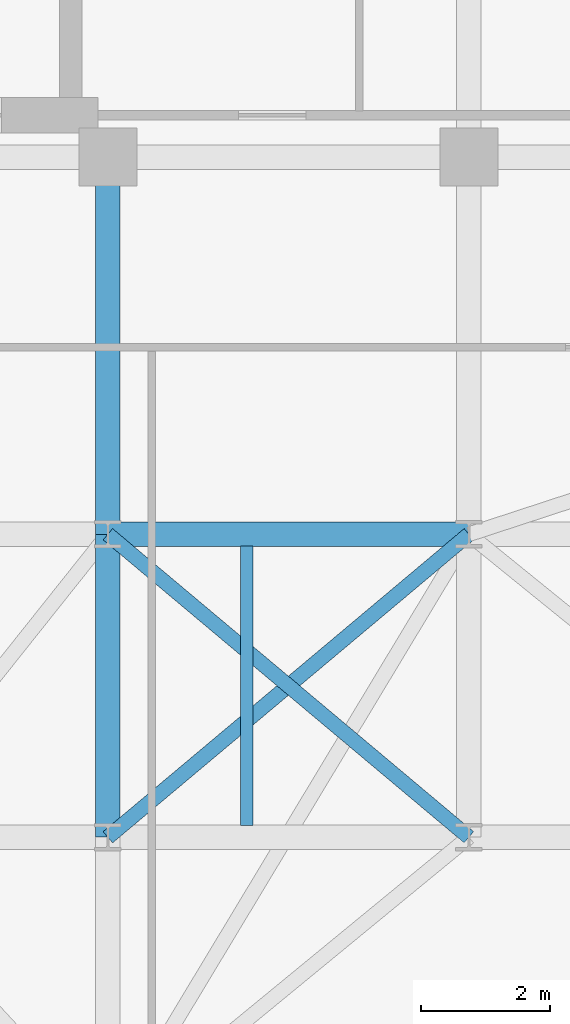
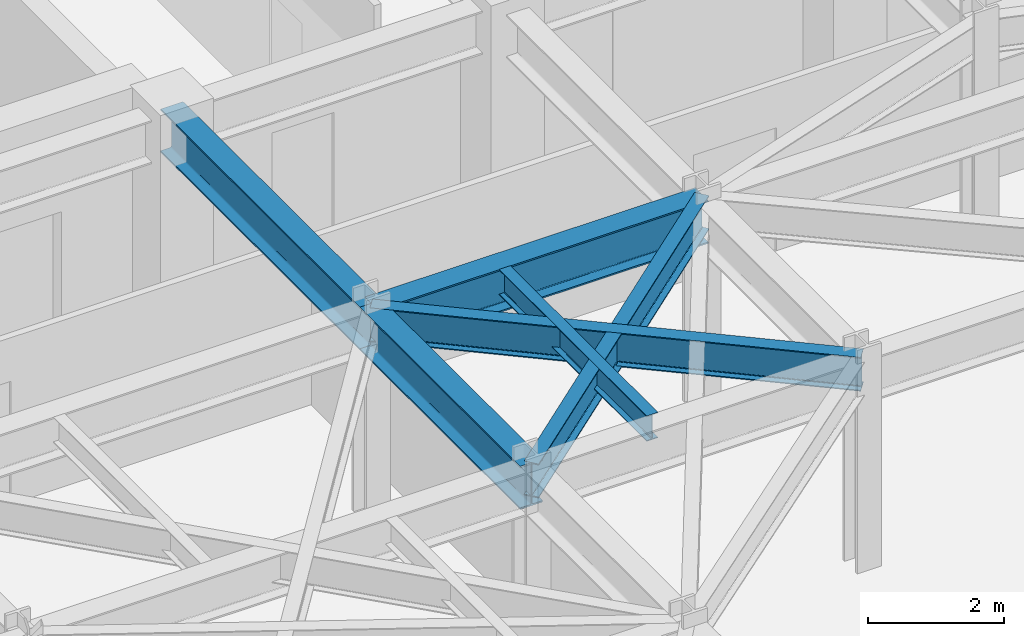
# One storey, part 11 of 26: 6 beams.
"""IFC4 building model written with IfcOpenShell, lengths in metres."""

import ifcopenshell
import ifcopenshell.guid

model = None  # the IFC model being written
_history = None  # IfcOwnerHistory: only IFC2X3 demands one
_inside = {}  # id of a spatial element -> (the spatial element, [elements in it])
_under = {}  # id of a project, library or spatial element -> (it, [spatial elements below it])
_declared = {}  # id of a project -> (the project, [libraries it declares])
_typed = {}  # id of a type object -> (the type object, [elements of that type])
_made_of = {}  # id of a material, layer set ... -> (it, [elements and type objects made of it])


def new_model(schema):
    """Start an empty IFC model of exactly this schema.

    Asked for "IFC4X3", IfcOpenShell would pick the latest addendum, in which some entities
    have other attributes; the version numbers below select the first issue.
    IFC2X3 requires an IfcOwnerHistory on every rooted entity: one is made here for all.
    """
    global model, _history
    if schema == "IFC4X3":
        model = ifcopenshell.file(schema_version=(4, 3, 0, 0))
    else:
        model = ifcopenshell.file(schema=schema)
    _inside.clear()
    _under.clear()
    _declared.clear()
    _typed.clear()
    _made_of.clear()
    _history = None
    if model.schema == "IFC2X3":
        org = make("IfcOrganization", Name="unknown")
        user = make(
            "IfcPersonAndOrganization",
            ThePerson=make("IfcPerson", FamilyName="unknown"),
            TheOrganization=org,
        )
        app = make(
            "IfcApplication",
            ApplicationDeveloper=org,
            Version="unknown",
            ApplicationFullName="unknown",
            ApplicationIdentifier="unknown",
        )
        _history = make(
            "IfcOwnerHistory",
            OwningUser=user,
            OwningApplication=app,
            ChangeAction="ADDED",
            CreationDate=0,
        )
    return model


def make(cls, **values):
    """One entity of the class cls with the attributes given. An attribute that is None is left unset."""
    return model.create_entity(
        cls, **{name: value for name, value in values.items() if value is not None}
    )


def rooted(cls, **values):
    """An entity with a GlobalId (a new one), such as an element, a storey or a relation."""
    return make(cls, GlobalId=ifcopenshell.guid.new(), OwnerHistory=_history, **values)


def si_unit(unit_type, name, prefix=None):
    """IfcSIUnit, for example si_unit("LENGTHUNIT", "METRE", prefix="MILLI")."""
    return make("IfcSIUnit", UnitType=unit_type, Prefix=prefix, Name=name)


def assignment(units):
    """IfcUnitAssignment: the units of a project."""
    return None if units is None else make("IfcUnitAssignment", Units=units)


def point(xyz):
    """IfcCartesianPoint."""
    return None if xyz is None else make("IfcCartesianPoint", Coordinates=xyz)


def direction(xyz):
    """IfcDirection."""
    return None if xyz is None else make("IfcDirection", DirectionRatios=xyz)


def frame(location, z_axis=None, x_axis=None):
    """IfcAxis2Placement3D, a coordinate frame: its origin and axes. An axis left out is left unset."""
    return make(
        "IfcAxis2Placement3D",
        Location=point(location),
        Axis=direction(z_axis),
        RefDirection=direction(x_axis),
    )


def frame_2d(location, x_axis=None):
    """IfcAxis2Placement2D, a coordinate frame in the plane: its origin and x axis."""
    return make(
        "IfcAxis2Placement2D", Location=point(location), RefDirection=direction(x_axis)
    )


def origin():
    """The frame at (0, 0, 0) with its axes left unset."""
    return frame((0.0, 0.0, 0.0))


def origin_2d():
    """The frame at (0, 0) in the plane with its x axis left unset."""
    return frame_2d((0.0, 0.0))


def place(relative_to, where):
    """IfcLocalPlacement: puts the frame where relative to a parent placement (None: the world)."""
    return make(
        "IfcLocalPlacement", PlacementRelTo=relative_to, RelativePlacement=where
    )


def context(
    kind, dimensions, precision=None, world=None, true_north=None, identifier=None
):
    """IfcGeometricRepresentationContext, for example the 3D "Model" context."""
    return make(
        "IfcGeometricRepresentationContext",
        ContextIdentifier=identifier,
        ContextType=kind,
        CoordinateSpaceDimension=dimensions,
        Precision=precision,
        WorldCoordinateSystem=world,
        TrueNorth=true_north,
    )


def subcontext(parent, identifier, kind, view, scale=None):
    """IfcGeometricRepresentationSubContext, for example "Body" below "Model"."""
    return make(
        "IfcGeometricRepresentationSubContext",
        ContextIdentifier=identifier,
        ContextType=kind,
        ParentContext=parent,
        TargetScale=scale,
        TargetView=view,
    )


def project(units=None, contexts=None):
    """IfcProject with its units and contexts."""
    return rooted(
        "IfcProject",
        Name="project",
        RepresentationContexts=contexts,
        UnitsInContext=assignment(units),
    )


def spatial(cls, under=None, at=None, **own):
    """A site, building, storey or space (cls), placed at a placement, below another one or the project."""
    s = rooted(cls, ObjectPlacement=at, **own)
    if under is not None:
        _under.setdefault(under.id(), (under, []))[1].append(s)
    return s


def profile(cls, at=None, kind="AREA", **sizes):
    """A parametric profile (cls). Its sizes go by their IFC names, for example OverallWidth=200.0."""
    return make(cls, ProfileType=kind, Position=at, **sizes)


def i_section(**sizes):
    """IfcIShapeProfileDef."""
    return profile("IfcIShapeProfileDef", **sizes)


def extrude(swept, where, along, depth):
    """IfcExtrudedAreaSolid: the profile swept, set in the frame where, extruded along a direction by depth."""
    return make(
        "IfcExtrudedAreaSolid",
        SweptArea=swept,
        Position=where,
        ExtrudedDirection=direction(along),
        Depth=depth,
    )


def shape(context_of_items, identifier, shape_type, items):
    """IfcShapeRepresentation: the items that make up one representation, for example the "Body"."""
    return make(
        "IfcShapeRepresentation",
        ContextOfItems=context_of_items,
        RepresentationIdentifier=identifier,
        RepresentationType=shape_type,
        Items=items,
    )


def material(Name=None, Category=None):
    """IfcMaterial."""
    return make("IfcMaterial", Name=Name, Category=Category)


def material_profile(
    of_material, cross_section, Name=None, Category=None, Priority=None
):
    """IfcMaterialProfile: a cross section and its material."""
    return make(
        "IfcMaterialProfile",
        Name=Name,
        Material=of_material,
        Profile=cross_section,
        Priority=Priority,
        Category=Category,
    )


def profile_set(profiles, Name=None, composite=None):
    """IfcMaterialProfileSet."""
    return make(
        "IfcMaterialProfileSet",
        Name=Name,
        MaterialProfiles=profiles,
        CompositeProfile=composite,
    )


def made_of(thing, what):
    """Note that an element or type object is made of a material, layer set ...; save() writes the relation."""
    if what is not None:
        _made_of.setdefault(what.id(), (what, []))[1].append(thing)
    return thing


def type_object(cls, material=None, **own):
    """A type object (cls), such as IfcWallType, which elements share."""
    return made_of(rooted(cls, **own), material)


def element(
    cls,
    number,
    at=None,
    inside=None,
    cuts=None,
    type_object=None,
    material=None,
    context=None,
    identifier="Body",
    shape_type=None,
    held_by="IfcProductDefinitionShape",
    body=None,
    shapes=None,
    **own,
):
    """One element of the class cls, such as IfcWall. Its Tag is "e" and its number.

    at: its placement. inside: the storey or other place that contains it. cuts: it is an
    opening in that element (IfcRelVoidsElement). A single representation is given by context,
    identifier, shape_type and body (its items); several are given by shapes. held_by: the class
    of the entity that holds the representations. save() writes the other relations.
    """
    e = rooted(cls, Tag="e%d" % number, ObjectPlacement=at, **own)
    if body is not None:
        shapes = [shape(context, identifier, shape_type, body)]
    if shapes is not None:
        e.Representation = make(held_by, Representations=shapes)
    if inside is not None:
        _inside.setdefault(inside.id(), (inside, []))[1].append(e)
    if cuts is not None:
        rooted(
            "IfcRelVoidsElement", RelatingBuildingElement=cuts, RelatedOpeningElement=e
        )
    if type_object is not None:
        _typed.setdefault(type_object.id(), (type_object, []))[1].append(e)
    return made_of(e, material)


def aggregate(whole, parts):
    """IfcRelAggregates: a whole, such as a stair, and the parts it consists of."""
    return rooted("IfcRelAggregates", RelatingObject=whole, RelatedObjects=parts)


def save(model, path):
    """Write the relations noted so far, then the file.

    IfcRelAggregates (storeys below a building ...), IfcRelContainedInSpatialStructure (elements
    in a storey), IfcRelDefinesByType, IfcRelAssociatesMaterial and IfcRelDeclares: one each for
    every whole, place, type object, material and project.
    """
    for whole, parts in _under.values():
        aggregate(whole, parts)
    for where, things in _inside.values():
        rooted(
            "IfcRelContainedInSpatialStructure",
            RelatedElements=things,
            RelatingStructure=where,
        )
    for kind, things in _typed.values():
        rooted("IfcRelDefinesByType", RelatedObjects=things, RelatingType=kind)
    for what, things in _made_of.values():
        rooted("IfcRelAssociatesMaterial", RelatedObjects=things, RelatingMaterial=what)
    for by, libraries in _declared.values():
        rooted("IfcRelDeclares", RelatingContext=by, RelatedDefinitions=libraries)
    model.write(path)


model = new_model("IFC4")

# Units and contexts
model_context = context("Model", 3, precision=1e-05, world=origin(), true_north=direction((0.0, 1.0)))
body_context = subcontext(model_context, "Body", "Model", "MODEL_VIEW")
ifc_project = project(units=[si_unit("LENGTHUNIT", "METRE"), si_unit("AREAUNIT", "SQUARE_METRE"), si_unit("VOLUMEUNIT", "CUBIC_METRE"), si_unit("PLANEANGLEUNIT", "RADIAN"), si_unit("MASSUNIT", "GRAM", prefix="KILO")], contexts=[model_context])

# Site, building, storey
site_placement = place(None, origin())
site = spatial("IfcSite", under=ifc_project, at=site_placement, CompositionType="ELEMENT")
building_placement = place(site_placement, origin())
building = spatial("IfcBuilding", under=site, at=building_placement, Name="Kravanh Interchange Tower", CompositionType="ELEMENT")
storey_placement = place(building_placement, frame((0.0, 0.0, 172.5)))
storey = spatial("IfcBuildingStorey", under=building, at=storey_placement, Name="L41", CompositionType="ELEMENT", Elevation=172.5)

# Beams
ifc_material_1 = material(Name="Structural Steel S355", Category="steel")
ifc_material_profile_1 = material_profile(ifc_material_1, i_section(OverallWidth=0.381103515625, OverallDepth=0.77294921875, WebThickness=0.0166015625, FlangeThickness=0.027099609375, FilletRadius=0.02490234375, at=origin_2d()), Name="W30X173")
ifc_profile_set_1 = profile_set([ifc_material_profile_1], Name="Structural Steel S355")
beam_type_1 = type_object("IfcBeamType", Name="Floor Beam W30X173 Structural Steel S355", PredefinedType="BEAM", material=ifc_profile_set_1)
beam_1_placement = place(storey_placement, frame((27.199951171875, 37.35009765625, 3.368408203125), z_axis=(0.0, -1.0, 0.0), x_axis=(1.0, 0.0, 0.0)))
element("IfcBeam", 1, at=beam_1_placement, inside=storey, type_object=beam_type_1, Name="L41 Primary Floor Girder 24", PredefinedType="BEAM", context=body_context, shape_type="SweptSolid", body=[
    extrude(i_section(OverallWidth=0.381103515625, OverallDepth=0.77294921875, WebThickness=0.0166015625, FlangeThickness=0.027099609375, FilletRadius=0.02490234375, at=origin_2d()), origin(), (0.0, 0.0, 1.0), 5.85009765625),
])
beam_2_placement = place(storey_placement, frame((27.199951171875, 26.800048828125, 3.368408203125), z_axis=(0.0, 1.0, 0.0), x_axis=(-1.0, 0.0, 0.0)))
element("IfcBeam", 2, at=beam_2_placement, inside=storey, type_object=beam_type_1, Name="L41 Primary Floor Girder 38", PredefinedType="BEAM", context=body_context, shape_type="SweptSolid", body=[
    extrude(i_section(OverallWidth=0.381103515625, OverallDepth=0.77294921875, WebThickness=0.0166015625, FlangeThickness=0.027099609375, FilletRadius=0.02490234375, at=origin_2d()), origin(), (0.0, 0.0, 1.0), 4.699951171875),
])
beam_3_placement = place(storey_placement, frame((27.199951171875, 31.5, 3.368408203125), z_axis=(1.0, 0.0, 0.0), x_axis=(0.0, 1.0, 0.0)))
element("IfcBeam", 3, at=beam_3_placement, inside=storey, type_object=beam_type_1, Name="L41 Primary Floor Girder 64", PredefinedType="BEAM", context=body_context, shape_type="SweptSolid", body=[
    extrude(i_section(OverallWidth=0.381103515625, OverallDepth=0.77294921875, WebThickness=0.0166015625, FlangeThickness=0.027099609375, FilletRadius=0.02490234375, at=origin_2d()), origin(), (0.0, 0.0, 1.0), 5.60009765625),
])
ifc_material_2 = material(Name="Structural Steel S355", Category="steel")
ifc_material_profile_2 = material_profile(ifc_material_2, i_section(OverallWidth=0.18994140625, OverallDepth=0.45703125, WebThickness=0.009033203125, FlangeThickness=0.014404296875, FilletRadius=0.01806640625, at=origin_2d()), Name="W18X50")
ifc_profile_set_2 = profile_set([ifc_material_profile_2], Name="Structural Steel S355")
beam_type_2 = type_object("IfcBeamType", Name="Floor Joist W18X50 Structural Steel S355", PredefinedType="JOIST", material=ifc_profile_set_2)
beam_4_placement = place(storey_placement, frame((29.35498046875, 26.985595703125, 3.526611328125), z_axis=(0.0, 1.0, 0.0), x_axis=(-1.0, 0.0, 0.0)))
element("IfcBeam", 4, at=beam_4_placement, inside=storey, type_object=beam_type_2, Name="L41 Secondary Floor Joist 11", PredefinedType="JOIST", context=body_context, shape_type="SweptSolid", body=[
    extrude(i_section(OverallWidth=0.18994140625, OverallDepth=0.45703125, WebThickness=0.009033203125, FlangeThickness=0.014404296875, FilletRadius=0.01806640625, at=origin_2d()), origin(), (0.0, 0.0, 1.0), 4.328857421875),
])
ifc_material_3 = material(Name="Structural Steel S355", Category="steel")
ifc_material_profile_3 = material_profile(ifc_material_3, i_section(OverallWidth=0.22802734375, OverallDepth=0.60791015625, WebThickness=0.01123046875, FlangeThickness=0.017333984375, FilletRadius=0.02197265625, at=origin_2d()), Name="W24X76")
ifc_profile_set_3 = profile_set([ifc_material_profile_3], Name="Structural Steel S355")
beam_type_3 = type_object("IfcBeamType", Name="Floor Spandrel W24X76 Structural Steel S355", PredefinedType="SPANDREL", material=ifc_profile_set_3)
for number, where, z_axis, x_axis, name in (
    (5, (27.199951171875, 26.800048828125, 3.450927734375), (0.765983062929, 0.642860752657, 0.0), (-0.642860752657, 0.765983062929, 0.0), "L41 Perimeter Spandrel 40"),
    (6, (32.800048828125, 26.800048828125, 3.450927734375), (-0.765983062929, 0.642860752657, 0.0), (-0.642860752657, -0.765983062929, 0.0), "L41 Perimeter Spandrel 44"),
):
    element("IfcBeam", number, at=place(storey_placement, frame(where, z_axis=z_axis, x_axis=x_axis)), inside=storey, type_object=beam_type_3, Name=name, PredefinedType="SPANDREL", context=body_context, shape_type="SweptSolid", body=[
        extrude(i_section(OverallWidth=0.22802734375, OverallDepth=0.60791015625, WebThickness=0.01123046875, FlangeThickness=0.017333984375, FilletRadius=0.02197265625, at=origin_2d()), origin(), (0.0, 0.0, 1.0), 7.31103515625),
    ])

save(model, "model.ifc")
